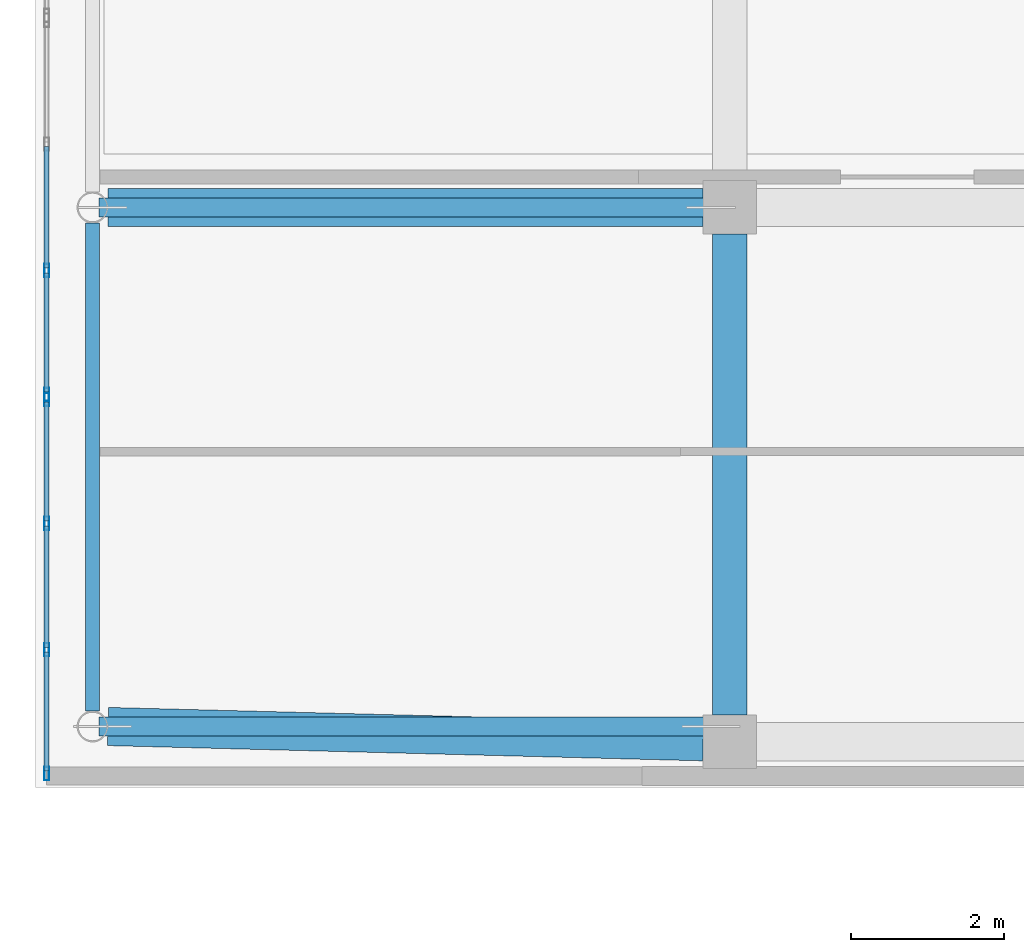
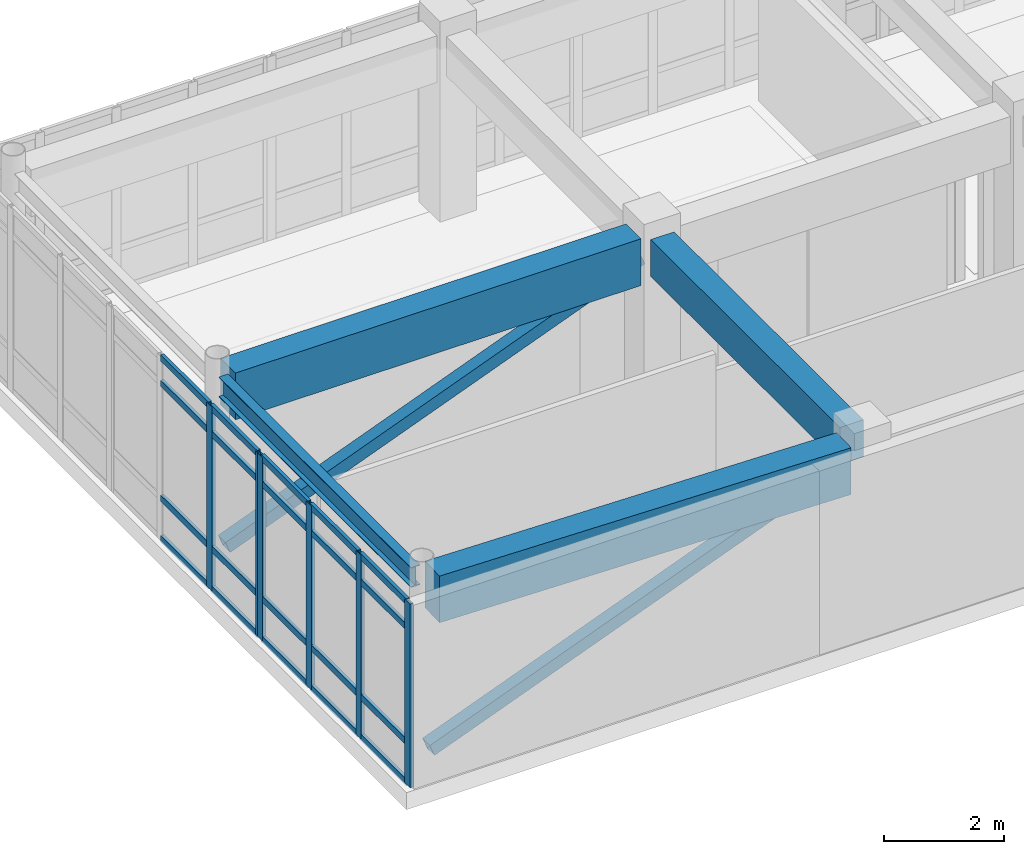
# One storey, part 17 of 146: 28 members, 4 beams, 2 elements without a shape of their own.
"""IFC4 building model written with IfcOpenShell, lengths in metres."""

from ifc_helpers import new_model, si_unit, direction, frame, origin, origin_2d, place, context, subcontext, project, spatial, rectangle, hollow_rectangle, i_section, extrude, material, layer, layer_set, material_profile, profile_set, type_object, element, aggregate, save


model = new_model("IFC4")

# Units and contexts
model_context = context("Model", 3, precision=1e-05, world=origin(), true_north=direction((0.0, 1.0)))
body_context = subcontext(model_context, "Body", "Model", "MODEL_VIEW")
ifc_project = project(units=[si_unit("LENGTHUNIT", "METRE"), si_unit("AREAUNIT", "SQUARE_METRE"), si_unit("VOLUMEUNIT", "CUBIC_METRE"), si_unit("PLANEANGLEUNIT", "RADIAN"), si_unit("MASSUNIT", "GRAM", prefix="KILO")], contexts=[model_context])

# Site, building, storey
site_placement = place(None, origin())
site = spatial("IfcSite", under=ifc_project, at=site_placement, CompositionType="ELEMENT")
building_placement = place(site_placement, origin())
building = spatial("IfcBuilding", under=site, at=building_placement, Name="Valcora Specialist Clinic", CompositionType="ELEMENT")
storey_placement = place(building_placement, frame((0.0, 0.0, 9.52001953125)))
storey = spatial("IfcBuildingStorey", under=building, at=storey_placement, Name="L02", CompositionType="ELEMENT", Elevation=9.52001953125)

# Beams
ifc_material_1 = material(Name="Steel ASTM A992 Grade 50", Category="steel")
ifc_material_profile_1 = material_profile(ifc_material_1, i_section(OverallWidth=0.177978515625, OverallDepth=0.406005859375, WebThickness=0.008056640625, FlangeThickness=0.012939453125, at=origin_2d()), Name="ST-IR-410X180")
ifc_profile_set_1 = profile_set([ifc_material_profile_1], Name="Steel ASTM A992 Grade 50")
beam_type_1 = type_object("IfcBeamType", Name="TY-BM-IR410", PredefinedType="SPANDREL", material=ifc_profile_set_1)
beam_1_placement = place(storey_placement, frame((0.75, 8.60302734375, 3.528076171875), z_axis=(0.0, 1.0, 0.0), x_axis=(-1.0, 0.0, 0.0)))
element("IfcBeam", 1, at=beam_1_placement, inside=storey, type_object=beam_type_1, Name="Beam BM-L02-1009", PredefinedType="SPANDREL", context=body_context, shape_type="SweptSolid", body=[
    extrude(i_section(OverallWidth=0.177978515625, OverallDepth=0.406005859375, WebThickness=0.008056640625, FlangeThickness=0.012939453125, at=origin_2d()), origin(), (0.0, 0.0, 1.0), 6.39404296875),
])
ifc_material_2 = material(Name="Concrete C40/50", Category="concrete")
ifc_material_profile_2 = material_profile(ifc_material_2, rectangle(XDim=0.449951171875, YDim=0.75, at=origin_2d()), Name="RC-BM-450X750")
ifc_profile_set_2 = profile_set([ifc_material_profile_2], Name="Concrete C40/50")
beam_type_2 = type_object("IfcBeamType", Name="TY-BM-RC450X750", PredefinedType="BEAM", material=ifc_profile_set_2)
beam_2_placement = place(storey_placement, frame((9.10009765625, 8.550048828125, 3.35986328125), z_axis=(0.0, 1.0, 0.0), x_axis=(-1.0, 0.0, 0.0)))
element("IfcBeam", 2, at=beam_2_placement, inside=storey, type_object=beam_type_2, Name="Beam BM-L02-1011", PredefinedType="BEAM", context=body_context, shape_type="SweptSolid", body=[
    extrude(rectangle(XDim=0.449951171875, YDim=0.75, at=origin_2d()), origin(), (0.0, 0.0, 1.0), 6.300048828125),
])
ifc_material_profile_3 = material_profile(ifc_material_2, rectangle(XDim=0.5, YDim=0.949951171875, at=origin_2d()), Name="RC-BM-500X950")
ifc_profile_set_3 = profile_set([ifc_material_profile_3], Name="Concrete C40/50")
beam_type_3 = type_object("IfcBeamType", Name="TY-BM-TR500X950", PredefinedType="BEAM", material=ifc_profile_set_3)
beam_3_placement = place(storey_placement, frame((0.952880859375, 8.39990234375, 3.260009765625), z_axis=(0.999671348641, -0.025635809078, 0.0), x_axis=(0.025635809078, 0.999671348641, 0.0)))
element("IfcBeam", 3, at=beam_3_placement, inside=storey, type_object=beam_type_3, Name="Beam BM-L02-0988", PredefinedType="BEAM", context=body_context, shape_type="SweptSolid", body=[
    extrude(rectangle(XDim=0.5, YDim=0.949951171875, at=origin_2d()), origin(), (0.0, 0.0, 1.0), 7.799560546875),
])
beam_4_placement = place(storey_placement, frame((0.952880859375, 15.199951171875, 3.260009765625), z_axis=(1.0, 0.0, 0.0), x_axis=(0.0, 1.0, 0.0)))
element("IfcBeam", 4, at=beam_4_placement, inside=storey, type_object=beam_type_3, Name="Beam BM-L02-0995", PredefinedType="BEAM", context=body_context, shape_type="SweptSolid", body=[
    extrude(rectangle(XDim=0.5, YDim=0.949951171875, at=origin_2d()), origin(), (0.0, 0.0, 1.0), 7.797119140625),
])

# Curtain wall, members
ifc_material_3 = material(Name="Anodized Bronze Aluminium 6063-T6", Category="aluminium")
ifc_layer = layer(ifc_material_3, 0.175048828125)
ifc_layer_set = layer_set([ifc_layer], Name="Anodized Bronze Aluminium 6063-T6")
curtain_wall_type = type_object("IfcCurtainWallType", Name="TY-CW-V5F15", PredefinedType="NOTDEFINED", material=ifc_layer_set)
curtain_wall_1_placement = place(storey_placement, origin())
curtain_wall_1 = element("IfcCurtainWall", 5, at=curtain_wall_1_placement, inside=storey, type_object=curtain_wall_type, Name="Curtain wall CW-L02-140", PredefinedType="NOTDEFINED")
ifc_material_profile_4 = material_profile(ifc_material_3, hollow_rectangle(XDim=0.06494140625, YDim=0.175048828125, WallThickness=0.00390625, at=origin_2d()), Name="AL-MUL-65X175")
ifc_profile_set_4 = profile_set([ifc_material_profile_4], Name="Anodized Bronze Aluminium 6063-T6")
member_type_1 = type_object("IfcMemberType", Name="TY-CWM-65X175", PredefinedType="MULLION", material=ifc_profile_set_4)
member_1_placement = place(storey_placement, frame((0.14990234375, 7.782470703125, 0.0), z_axis=(0.0, 0.0, 1.0), x_axis=(-1.0, 0.0, 0.0)))
member_1 = element("IfcMember", 6, at=member_1_placement, type_object=member_type_1, Name="CW-V5F-15 mullion 1", PredefinedType="MULLION", context=body_context, shape_type="SweptSolid", body=[
    extrude(hollow_rectangle(XDim=0.06494140625, YDim=0.175048828125, WallThickness=0.00390625, at=origin_2d()), origin(), (0.0, 0.0, 1.0), 3.73486328125),
])
member_2_placement = place(storey_placement, frame((0.14990234375, 9.405517578125, 0.0), z_axis=(0.0, 0.0, 1.0), x_axis=(-1.0, 0.0, 0.0)))
member_2 = element("IfcMember", 7, at=member_2_placement, type_object=member_type_1, Name="CW-V5F-15 mullion 2", PredefinedType="MULLION", context=body_context, shape_type="SweptSolid", body=[
    extrude(hollow_rectangle(XDim=0.06494140625, YDim=0.175048828125, WallThickness=0.00390625, at=origin_2d()), origin(), (0.0, 0.0, 1.0), 3.73486328125),
])
member_3_placement = place(storey_placement, frame((0.14990234375, 11.06103515625, 0.0), z_axis=(0.0, 0.0, 1.0), x_axis=(-1.0, 0.0, 0.0)))
member_3 = element("IfcMember", 8, at=member_3_placement, type_object=member_type_1, Name="CW-V5F-15 mullion 3", PredefinedType="MULLION", context=body_context, shape_type="SweptSolid", body=[
    extrude(hollow_rectangle(XDim=0.06494140625, YDim=0.175048828125, WallThickness=0.00390625, at=origin_2d()), origin(), (0.0, 0.0, 1.0), 3.73486328125),
])
member_4_placement = place(storey_placement, frame((0.14990234375, 12.68408203125, 0.0), z_axis=(0.0, 0.0, 1.0), x_axis=(-1.0, 0.0, 0.0)))
member_4 = element("IfcMember", 9, at=member_4_placement, type_object=member_type_1, Name="CW-V5F-15 mullion 4", PredefinedType="MULLION", context=body_context, shape_type="SweptSolid", body=[
    extrude(hollow_rectangle(XDim=0.06494140625, YDim=0.175048828125, WallThickness=0.00390625, at=origin_2d()), origin(), (0.0, 0.0, 1.0), 3.73486328125),
])

curtain_wall_2_placement = place(storey_placement, origin())
curtain_wall_2 = element("IfcCurtainWall", 10, at=curtain_wall_2_placement, inside=storey, type_object=curtain_wall_type, Name="Curtain wall CW-L02-141", PredefinedType="NOTDEFINED")
member_5_placement = place(storey_placement, frame((0.14990234375, 12.749267578125, 0.0), z_axis=(0.0, 0.0, 1.0), x_axis=(-1.0, 0.0, 0.0)))
member_5 = element("IfcMember", 11, at=member_5_placement, type_object=member_type_1, Name="CW-V5F-15 mullion 1", PredefinedType="MULLION", context=body_context, shape_type="SweptSolid", body=[
    extrude(hollow_rectangle(XDim=0.06494140625, YDim=0.175048828125, WallThickness=0.00390625, at=origin_2d()), origin(), (0.0, 0.0, 1.0), 3.73486328125),
])
member_6_placement = place(storey_placement, frame((0.14990234375, 14.372314453125, 0.0), z_axis=(0.0, 0.0, 1.0), x_axis=(-1.0, 0.0, 0.0)))
member_6 = element("IfcMember", 12, at=member_6_placement, type_object=member_type_1, Name="CW-V5F-15 mullion 2", PredefinedType="MULLION", context=body_context, shape_type="SweptSolid", body=[
    extrude(hollow_rectangle(XDim=0.06494140625, YDim=0.175048828125, WallThickness=0.00390625, at=origin_2d()), origin(), (0.0, 0.0, 1.0), 3.73486328125),
])

# Member
ifc_material_profile_5 = material_profile(ifc_material_3, hollow_rectangle(XDim=0.06494140625, YDim=0.1298828125, WallThickness=0.00390625, at=origin_2d()), Name="AL-TRN-65X130")
ifc_profile_set_5 = profile_set([ifc_material_profile_5], Name="Anodized Bronze Aluminium 6063-T6")
member_type_2 = type_object("IfcMemberType", Name="TY-CWT-65X130", PredefinedType="USERDEFINED", material=ifc_profile_set_5)
member_7_placement = place(storey_placement, frame((0.14990234375, 7.81494140625, 0.032470703125), z_axis=(0.0, 1.0, 0.0), x_axis=(-1.0, 0.0, 0.0)))
member_7 = element("IfcMember", 13, at=member_7_placement, type_object=member_type_2, Name="CW-V5F-15 transom 1.1", ObjectType="TRANSOM", PredefinedType="USERDEFINED", context=body_context, shape_type="SweptSolid", body=[
    extrude(hollow_rectangle(XDim=0.06494140625, YDim=0.1298828125, WallThickness=0.00390625, at=origin_2d()), origin(), (0.0, 0.0, 1.0), 1.55810546875),
])

member_8_placement = place(storey_placement, frame((0.14990234375, 7.81494140625, 0.85009765625), z_axis=(0.0, 1.0, 0.0), x_axis=(-1.0, 0.0, 0.0)))
member_8 = element("IfcMember", 14, at=member_8_placement, type_object=member_type_2, Name="CW-V5F-15 transom 1.2", ObjectType="TRANSOM", PredefinedType="USERDEFINED", context=body_context, shape_type="SweptSolid", body=[
    extrude(hollow_rectangle(XDim=0.06494140625, YDim=0.1298828125, WallThickness=0.00390625, at=origin_2d()), origin(), (0.0, 0.0, 1.0), 1.55810546875),
])

member_9_placement = place(storey_placement, frame((0.14990234375, 7.81494140625, 3.18505859375), z_axis=(0.0, 1.0, 0.0), x_axis=(-1.0, 0.0, 0.0)))
member_9 = element("IfcMember", 15, at=member_9_placement, type_object=member_type_2, Name="CW-V5F-15 transom 1.3", ObjectType="TRANSOM", PredefinedType="USERDEFINED", context=body_context, shape_type="SweptSolid", body=[
    extrude(hollow_rectangle(XDim=0.06494140625, YDim=0.1298828125, WallThickness=0.00390625, at=origin_2d()), origin(), (0.0, 0.0, 1.0), 1.55810546875),
])

member_10_placement = place(storey_placement, frame((0.14990234375, 7.81494140625, 3.702392578125), z_axis=(0.0, 1.0, 0.0), x_axis=(-1.0, 0.0, 0.0)))
member_10 = element("IfcMember", 16, at=member_10_placement, type_object=member_type_2, Name="CW-V5F-15 transom 1.4", ObjectType="TRANSOM", PredefinedType="USERDEFINED", context=body_context, shape_type="SweptSolid", body=[
    extrude(hollow_rectangle(XDim=0.06494140625, YDim=0.1298828125, WallThickness=0.00390625, at=origin_2d()), origin(), (0.0, 0.0, 1.0), 1.55810546875),
])

member_11_placement = place(storey_placement, frame((0.14990234375, 9.43798828125, 0.032470703125), z_axis=(0.0, 1.0, 0.0), x_axis=(-1.0, 0.0, 0.0)))
member_11 = element("IfcMember", 17, at=member_11_placement, type_object=member_type_2, Name="CW-V5F-15 transom 2.1", ObjectType="TRANSOM", PredefinedType="USERDEFINED", context=body_context, shape_type="SweptSolid", body=[
    extrude(hollow_rectangle(XDim=0.06494140625, YDim=0.1298828125, WallThickness=0.00390625, at=origin_2d()), origin(), (0.0, 0.0, 1.0), 1.590576171875),
])

member_12_placement = place(storey_placement, frame((0.14990234375, 9.43798828125, 0.85009765625), z_axis=(0.0, 1.0, 0.0), x_axis=(-1.0, 0.0, 0.0)))
member_12 = element("IfcMember", 18, at=member_12_placement, type_object=member_type_2, Name="CW-V5F-15 transom 2.2", ObjectType="TRANSOM", PredefinedType="USERDEFINED", context=body_context, shape_type="SweptSolid", body=[
    extrude(hollow_rectangle(XDim=0.06494140625, YDim=0.1298828125, WallThickness=0.00390625, at=origin_2d()), origin(), (0.0, 0.0, 1.0), 1.590576171875),
])

member_13_placement = place(storey_placement, frame((0.14990234375, 9.43798828125, 3.18505859375), z_axis=(0.0, 1.0, 0.0), x_axis=(-1.0, 0.0, 0.0)))
member_13 = element("IfcMember", 19, at=member_13_placement, type_object=member_type_2, Name="CW-V5F-15 transom 2.3", ObjectType="TRANSOM", PredefinedType="USERDEFINED", context=body_context, shape_type="SweptSolid", body=[
    extrude(hollow_rectangle(XDim=0.06494140625, YDim=0.1298828125, WallThickness=0.00390625, at=origin_2d()), origin(), (0.0, 0.0, 1.0), 1.590576171875),
])

member_14_placement = place(storey_placement, frame((0.14990234375, 9.43798828125, 3.702392578125), z_axis=(0.0, 1.0, 0.0), x_axis=(-1.0, 0.0, 0.0)))
member_14 = element("IfcMember", 20, at=member_14_placement, type_object=member_type_2, Name="CW-V5F-15 transom 2.4", ObjectType="TRANSOM", PredefinedType="USERDEFINED", context=body_context, shape_type="SweptSolid", body=[
    extrude(hollow_rectangle(XDim=0.06494140625, YDim=0.1298828125, WallThickness=0.00390625, at=origin_2d()), origin(), (0.0, 0.0, 1.0), 1.590576171875),
])

member_15_placement = place(storey_placement, frame((0.14990234375, 11.09375, 0.032470703125), z_axis=(0.0, 1.0, 0.0), x_axis=(-1.0, 0.0, 0.0)))
member_15 = element("IfcMember", 21, at=member_15_placement, type_object=member_type_2, Name="CW-V5F-15 transom 3.1", ObjectType="TRANSOM", PredefinedType="USERDEFINED", context=body_context, shape_type="SweptSolid", body=[
    extrude(hollow_rectangle(XDim=0.06494140625, YDim=0.1298828125, WallThickness=0.00390625, at=origin_2d()), origin(), (0.0, 0.0, 1.0), 1.557861328125),
])

member_16_placement = place(storey_placement, frame((0.14990234375, 11.09375, 0.85009765625), z_axis=(0.0, 1.0, 0.0), x_axis=(-1.0, 0.0, 0.0)))
member_16 = element("IfcMember", 22, at=member_16_placement, type_object=member_type_2, Name="CW-V5F-15 transom 3.2", ObjectType="TRANSOM", PredefinedType="USERDEFINED", context=body_context, shape_type="SweptSolid", body=[
    extrude(hollow_rectangle(XDim=0.06494140625, YDim=0.1298828125, WallThickness=0.00390625, at=origin_2d()), origin(), (0.0, 0.0, 1.0), 1.557861328125),
])

member_17_placement = place(storey_placement, frame((0.14990234375, 11.09375, 3.18505859375), z_axis=(0.0, 1.0, 0.0), x_axis=(-1.0, 0.0, 0.0)))
member_17 = element("IfcMember", 23, at=member_17_placement, type_object=member_type_2, Name="CW-V5F-15 transom 3.3", ObjectType="TRANSOM", PredefinedType="USERDEFINED", context=body_context, shape_type="SweptSolid", body=[
    extrude(hollow_rectangle(XDim=0.06494140625, YDim=0.1298828125, WallThickness=0.00390625, at=origin_2d()), origin(), (0.0, 0.0, 1.0), 1.557861328125),
])

member_18_placement = place(storey_placement, frame((0.14990234375, 11.09375, 3.702392578125), z_axis=(0.0, 1.0, 0.0), x_axis=(-1.0, 0.0, 0.0)))
member_18 = element("IfcMember", 24, at=member_18_placement, type_object=member_type_2, Name="CW-V5F-15 transom 3.4", ObjectType="TRANSOM", PredefinedType="USERDEFINED", context=body_context, shape_type="SweptSolid", body=[
    extrude(hollow_rectangle(XDim=0.06494140625, YDim=0.1298828125, WallThickness=0.00390625, at=origin_2d()), origin(), (0.0, 0.0, 1.0), 1.557861328125),
])

aggregate(curtain_wall_1, [member_1, member_2, member_3, member_4, member_7, member_8, member_9, member_10, member_11, member_12, member_13, member_14, member_15, member_16, member_17, member_18])

member_19_placement = place(storey_placement, frame((0.14990234375, 12.78173828125, 0.032470703125), z_axis=(0.0, 1.0, 0.0), x_axis=(-1.0, 0.0, 0.0)))
member_19 = element("IfcMember", 25, at=member_19_placement, type_object=member_type_2, Name="CW-V5F-15 transom 1.1", ObjectType="TRANSOM", PredefinedType="USERDEFINED", context=body_context, shape_type="SweptSolid", body=[
    extrude(hollow_rectangle(XDim=0.06494140625, YDim=0.1298828125, WallThickness=0.00390625, at=origin_2d()), origin(), (0.0, 0.0, 1.0), 1.55810546875),
])

member_20_placement = place(storey_placement, frame((0.14990234375, 12.78173828125, 0.85009765625), z_axis=(0.0, 1.0, 0.0), x_axis=(-1.0, 0.0, 0.0)))
member_20 = element("IfcMember", 26, at=member_20_placement, type_object=member_type_2, Name="CW-V5F-15 transom 1.2", ObjectType="TRANSOM", PredefinedType="USERDEFINED", context=body_context, shape_type="SweptSolid", body=[
    extrude(hollow_rectangle(XDim=0.06494140625, YDim=0.1298828125, WallThickness=0.00390625, at=origin_2d()), origin(), (0.0, 0.0, 1.0), 1.55810546875),
])

member_21_placement = place(storey_placement, frame((0.14990234375, 12.78173828125, 3.18505859375), z_axis=(0.0, 1.0, 0.0), x_axis=(-1.0, 0.0, 0.0)))
member_21 = element("IfcMember", 27, at=member_21_placement, type_object=member_type_2, Name="CW-V5F-15 transom 1.3", ObjectType="TRANSOM", PredefinedType="USERDEFINED", context=body_context, shape_type="SweptSolid", body=[
    extrude(hollow_rectangle(XDim=0.06494140625, YDim=0.1298828125, WallThickness=0.00390625, at=origin_2d()), origin(), (0.0, 0.0, 1.0), 1.55810546875),
])

member_22_placement = place(storey_placement, frame((0.14990234375, 12.78173828125, 3.702392578125), z_axis=(0.0, 1.0, 0.0), x_axis=(-1.0, 0.0, 0.0)))
member_22 = element("IfcMember", 28, at=member_22_placement, type_object=member_type_2, Name="CW-V5F-15 transom 1.4", ObjectType="TRANSOM", PredefinedType="USERDEFINED", context=body_context, shape_type="SweptSolid", body=[
    extrude(hollow_rectangle(XDim=0.06494140625, YDim=0.1298828125, WallThickness=0.00390625, at=origin_2d()), origin(), (0.0, 0.0, 1.0), 1.55810546875),
])

member_23_placement = place(storey_placement, frame((0.14990234375, 14.40478515625, 0.032470703125), z_axis=(0.0, 1.0, 0.0), x_axis=(-1.0, 0.0, 0.0)))
member_23 = element("IfcMember", 29, at=member_23_placement, type_object=member_type_2, Name="CW-V5F-15 transom 2.1", ObjectType="TRANSOM", PredefinedType="USERDEFINED", context=body_context, shape_type="SweptSolid", body=[
    extrude(hollow_rectangle(XDim=0.06494140625, YDim=0.1298828125, WallThickness=0.00390625, at=origin_2d()), origin(), (0.0, 0.0, 1.0), 1.590576171875),
])

member_24_placement = place(storey_placement, frame((0.14990234375, 14.40478515625, 0.85009765625), z_axis=(0.0, 1.0, 0.0), x_axis=(-1.0, 0.0, 0.0)))
member_24 = element("IfcMember", 30, at=member_24_placement, type_object=member_type_2, Name="CW-V5F-15 transom 2.2", ObjectType="TRANSOM", PredefinedType="USERDEFINED", context=body_context, shape_type="SweptSolid", body=[
    extrude(hollow_rectangle(XDim=0.06494140625, YDim=0.1298828125, WallThickness=0.00390625, at=origin_2d()), origin(), (0.0, 0.0, 1.0), 1.590576171875),
])

member_25_placement = place(storey_placement, frame((0.14990234375, 14.40478515625, 3.18505859375), z_axis=(0.0, 1.0, 0.0), x_axis=(-1.0, 0.0, 0.0)))
member_25 = element("IfcMember", 31, at=member_25_placement, type_object=member_type_2, Name="CW-V5F-15 transom 2.3", ObjectType="TRANSOM", PredefinedType="USERDEFINED", context=body_context, shape_type="SweptSolid", body=[
    extrude(hollow_rectangle(XDim=0.06494140625, YDim=0.1298828125, WallThickness=0.00390625, at=origin_2d()), origin(), (0.0, 0.0, 1.0), 1.590576171875),
])

member_26_placement = place(storey_placement, frame((0.14990234375, 14.40478515625, 3.702392578125), z_axis=(0.0, 1.0, 0.0), x_axis=(-1.0, 0.0, 0.0)))
member_26 = element("IfcMember", 32, at=member_26_placement, type_object=member_type_2, Name="CW-V5F-15 transom 2.4", ObjectType="TRANSOM", PredefinedType="USERDEFINED", context=body_context, shape_type="SweptSolid", body=[
    extrude(hollow_rectangle(XDim=0.06494140625, YDim=0.1298828125, WallThickness=0.00390625, at=origin_2d()), origin(), (0.0, 0.0, 1.0), 1.590576171875),
])

aggregate(curtain_wall_2, [member_5, member_6, member_19, member_20, member_21, member_22, member_23, member_24, member_25, member_26])

# Members
ifc_material_4 = material(Name="Steel ASTM A500 Grade C", Category="steel")
ifc_material_profile_6 = material_profile(ifc_material_4, hollow_rectangle(XDim=0.25, YDim=0.25, WallThickness=0.010009765625, at=origin_2d()), Name="ST-RHS-250X250X10")
ifc_profile_set_6 = profile_set([ifc_material_profile_6], Name="Steel ASTM A500 Grade C")
member_type_3 = type_object("IfcMemberType", Name="TY-MB-BR250", PredefinedType="BRACE", material=ifc_profile_set_6)
for number, where, z_axis, x_axis, name in (
    (33, (0.8798828125, 8.39990234375, 0.139892578125), (0.932963545497, 0.0, 0.359970863784), (0.0, 1.0, 0.0), "Cantilever diagonal brace MB-L02-0687"),
    (34, (0.8798828125, 15.199951171875, 0.139892578125), (0.932963545497, 0.0, 0.359970863784), (0.0, 1.0, 0.0), "Cantilever diagonal brace MB-L02-0691"),
):
    element("IfcMember", number, at=place(storey_placement, frame(where, z_axis=z_axis, x_axis=x_axis)), inside=storey, type_object=member_type_3, Name=name, PredefinedType="BRACE", context=body_context, shape_type="SweptSolid", body=[
        extrude(hollow_rectangle(XDim=0.25, YDim=0.25, WallThickness=0.010009765625, at=origin_2d()), origin(), (0.0, 0.0, 1.0), 8.54296875),
    ])

save(model, "model.ifc")
